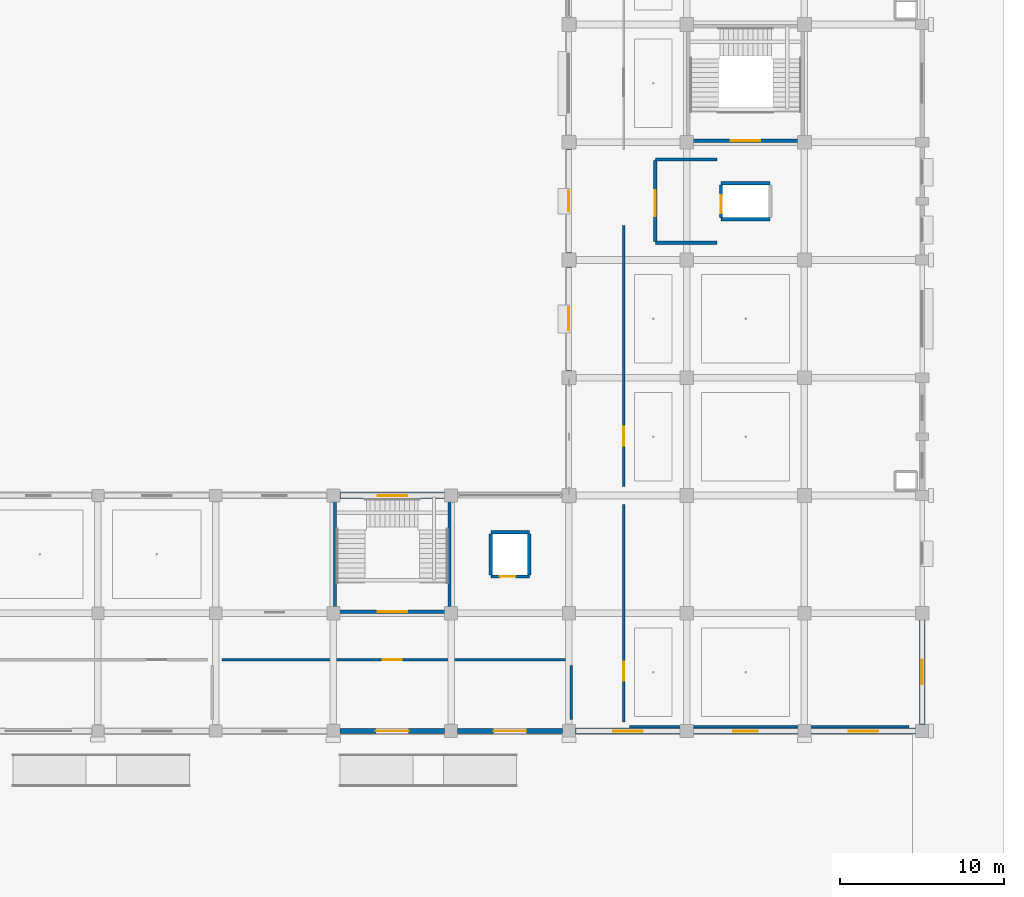
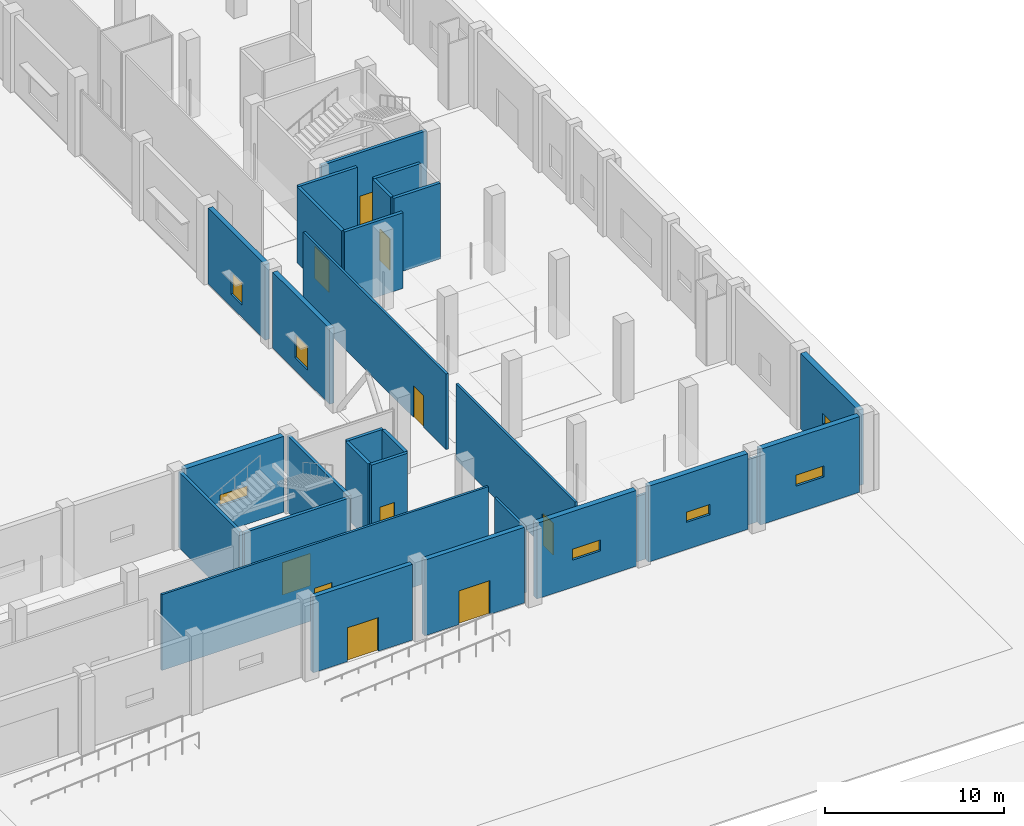
# One storey, part 64 of 90: 28 walls, 10 doors, 7 windows, 17 openings.
"""IFC4 building model written with IfcOpenShell, lengths in metres."""

from ifc_helpers import new_model, si_unit, direction, frame, frame_2d, origin, place, context, subcontext, project, spatial, rectangle, extrude, material, layer, layer_set, type_object, element, fill, save


model = new_model("IFC4")

# Units and contexts
model_context = context("Model", 3, precision=1e-05, world=origin(), true_north=direction((0.0, 1.0)))
body_context = subcontext(model_context, "Body", "Model", "MODEL_VIEW")
ifc_project = project(units=[si_unit("LENGTHUNIT", "METRE"), si_unit("AREAUNIT", "SQUARE_METRE"), si_unit("VOLUMEUNIT", "CUBIC_METRE"), si_unit("PLANEANGLEUNIT", "RADIAN"), si_unit("MASSUNIT", "GRAM", prefix="KILO")], contexts=[model_context])

# Site, building, storey
site_placement = place(None, origin())
site = spatial("IfcSite", under=ifc_project, at=site_placement, CompositionType="ELEMENT")
building_placement = place(site_placement, origin())
building = spatial("IfcBuilding", under=site, at=building_placement, Name="Kangsadwip Square Police Headquarters", CompositionType="ELEMENT")
storey_placement = place(building_placement, origin())
storey = spatial("IfcBuildingStorey", under=building, at=storey_placement, Name="L00", CompositionType="ELEMENT", Elevation=0.0)

# Wall, opening, door
ifc_material_1 = material(Name="Autoclaved aerated concrete blockwork masonry", Category="masonry")
ifc_layer_1 = layer(ifc_material_1, 0.14990234375)
ifc_layer_set_1 = layer_set([ifc_layer_1], Name="Autoclaved aerated concrete blockwork masonry")
wall_type_1 = type_object("IfcWallType", Name="BlockPartition150", PredefinedType="PARTITIONING", material=ifc_layer_set_1)
wall_1_placement = place(storey_placement, frame((147.35009765625, 36.550048828125, 0.0), z_axis=(0.0, 0.0, 1.0), x_axis=(0.0, 1.0, 0.0)))
wall_1 = element("IfcWall", 1, at=wall_1_placement, inside=storey, type_object=wall_type_1, Name="Interior Wall WI-L00-0696", PredefinedType="PARTITIONING", context=body_context, shape_type="SweptSolid", body=[
    extrude(rectangle(XDim=15.949951171875, YDim=0.14990234375, at=frame_2d((7.97509765625, 0.0))), origin(), (0.0, 0.0, 1.0), 5.159912109375),
])
opening_1_placement = place(wall_1_placement, frame((2.508056640625, 0.0, 0.0)))
opening_1 = element("IfcOpeningElement", 2, at=opening_1_placement, cuts=wall_1, Name="Opening FD-11", PredefinedType="OPENING", context=body_context, shape_type="SweptSolid", body=[
    extrude(rectangle(XDim=1.14990234375, YDim=2.14990234375, at=frame_2d((0.574951171875, 1.074951171875))), frame((0.0, 0.0849609375, 0.0), z_axis=(0.0, -1.0, 0.0), x_axis=(1.0, 0.0, 0.0)), (0.0, 0.0, 1.0), 0.169921875),
])
ifc_material_2 = material(Name="Insulated galvanized steel fire-rated door assembly", Category="steel")
door_type_1 = type_object("IfcDoorType", Name="CustodyCellDoor1150x2150", OperationType="NOTDEFINED", PredefinedType="DOOR", material=ifc_material_2)
door_1_placement = place(opening_1_placement, origin())
door_1 = element("IfcDoor", 3, at=door_1_placement, inside=storey, type_object=door_type_1, Name="Interior Door ID-L00-0145", OperationType="SINGLE_SWING_LEFT", OverallHeight=2.14990234375, OverallWidth=1.14990234375, PredefinedType="DOOR", context=body_context, shape_type="SweptSolid", body=[
    extrude(rectangle(XDim=1.14990234375, YDim=2.14990234375, at=frame_2d((0.574951171875, 1.074951171875))), frame((0.0, 0.02490234375, 0.0), z_axis=(0.0, -1.0, 0.0), x_axis=(1.0, 0.0, 0.0)), (0.0, 0.0, 1.0), 0.050048828125),
])
fill(opening_1, door_1)

# Wall
wall_2_placement = place(storey_placement, frame((144.14990234375, 22.300048828125, 0.0), z_axis=(0.0, 0.0, 1.0), x_axis=(0.0, 1.0, 0.0)))
element("IfcWall", 4, at=wall_2_placement, inside=storey, type_object=wall_type_1, Name="Interior Wall WI-L00-0704", PredefinedType="PARTITIONING", context=body_context, shape_type="SweptSolid", body=[
    extrude(rectangle(XDim=3.300048828125, YDim=0.14990234375, at=frame_2d((1.64990234375, 0.0))), origin(), (0.0, 0.0, 1.0), 4.5),
])

# Wall, opening, door
wall_3_placement = place(storey_placement, frame((122.800048828125, 25.949951171875, 0.0), z_axis=(0.0, 0.0, 1.0), x_axis=(1.0, 0.0, 0.0)))
wall_3 = element("IfcWall", 5, at=wall_3_placement, inside=storey, type_object=wall_type_1, Name="Interior Wall WI-L00-0705", PredefinedType="PARTITIONING", context=body_context, shape_type="SweptSolid", body=[
    extrude(rectangle(XDim=21.050048828125, YDim=0.14990234375, at=frame_2d((10.52490234375, 0.0))), origin(), (0.0, 0.0, 1.0), 5.159912109375),
])
opening_2_placement = place(wall_3_placement, frame((9.823974609375, 0.0, 0.0)))
opening_2 = element("IfcOpeningElement", 6, at=opening_2_placement, cuts=wall_3, Name="Opening FD-11", PredefinedType="OPENING", context=body_context, shape_type="SweptSolid", body=[
    extrude(rectangle(XDim=1.14990234375, YDim=2.14990234375, at=frame_2d((0.574951171875, 1.074951171875))), frame((0.0, 0.0849609375, 0.0), z_axis=(0.0, -1.0, 0.0), x_axis=(1.0, 0.0, 0.0)), (0.0, 0.0, 1.0), 0.169921875),
])
door_2_placement = place(opening_2_placement, origin())
door_2 = element("IfcDoor", 7, at=door_2_placement, inside=storey, type_object=door_type_1, Name="Interior Door ID-L00-0151", OperationType="SINGLE_SWING_LEFT", OverallHeight=2.14990234375, OverallWidth=1.14990234375, PredefinedType="DOOR", context=body_context, shape_type="SweptSolid", body=[
    extrude(rectangle(XDim=1.14990234375, YDim=2.14990234375, at=frame_2d((0.574951171875, 1.074951171875))), frame((0.0, 0.02490234375, 0.0), z_axis=(0.0, -1.0, 0.0), x_axis=(1.0, 0.0, 0.0)), (0.0, 0.0, 1.0), 0.050048828125),
])
fill(opening_2, door_2)

# Wall
wall_4_placement = place(storey_placement, frame((147.699951171875, 21.85009765625, 0.0), z_axis=(0.0, 0.0, 1.0), x_axis=(1.0, 0.0, 0.0)))
element("IfcWall", 8, at=wall_4_placement, inside=storey, type_object=wall_type_1, Name="Interior Wall WI-L00-0707", PredefinedType="PARTITIONING", context=body_context, shape_type="SweptSolid", body=[
    extrude(rectangle(XDim=17.10009765625, YDim=0.14990234375, at=frame_2d((8.550048828125, 0.0))), origin(), (0.0, 0.0, 1.0), 4.449951171875),
])

# Wall, opening, door
wall_5_placement = place(storey_placement, frame((147.35009765625, 22.14990234375, 0.0), z_axis=(0.0, 0.0, 1.0), x_axis=(0.0, 1.0, 0.0)))
wall_5 = element("IfcWall", 9, at=wall_5_placement, inside=storey, type_object=wall_type_1, Name="Interior Wall WI-L00-0708", PredefinedType="PARTITIONING", context=body_context, shape_type="SweptSolid", body=[
    extrude(rectangle(XDim=13.300048828125, YDim=0.14990234375, at=frame_2d((6.64990234375, 0.0))), origin(), (0.0, 0.0, 1.0), 5.159912109375),
])
opening_3_placement = place(wall_5_placement, frame((2.529052734375, 0.0, 0.0)))
opening_3 = element("IfcOpeningElement", 10, at=opening_3_placement, cuts=wall_5, Name="Opening FD-11", PredefinedType="OPENING", context=body_context, shape_type="SweptSolid", body=[
    extrude(rectangle(XDim=1.14990234375, YDim=2.14990234375, at=frame_2d((0.574951171875, 1.074951171875))), frame((0.0, 0.0849609375, 0.0), z_axis=(0.0, -1.0, 0.0), x_axis=(1.0, 0.0, 0.0)), (0.0, 0.0, 1.0), 0.169921875),
])
door_3_placement = place(opening_3_placement, origin())
door_3 = element("IfcDoor", 11, at=door_3_placement, inside=storey, type_object=door_type_1, Name="Interior Door ID-L00-0153", OperationType="SINGLE_SWING_LEFT", OverallHeight=2.14990234375, OverallWidth=1.14990234375, PredefinedType="DOOR", context=body_context, shape_type="SweptSolid", body=[
    extrude(rectangle(XDim=1.14990234375, YDim=2.14990234375, at=frame_2d((0.574951171875, 1.074951171875))), frame((0.0, 0.02490234375, 0.0), z_axis=(0.0, -1.0, 0.0), x_axis=(1.0, 0.0, 0.0)), (0.0, 0.0, 1.0), 0.050048828125),
])
fill(opening_3, door_3)

ifc_material_3 = material(Name="Concrete M40 (40 MPa)", Category="concrete")
ifc_layer_2 = layer(ifc_material_3, 0.199951171875)
ifc_layer_set_2 = layer_set([ifc_layer_2], Name="Concrete M40 (40 MPa)")
wall_type_2 = type_object("IfcWallType", Name="CoreShearWall200", PredefinedType="SHEAR", material=ifc_layer_set_2)
wall_6_placement = place(storey_placement, frame((151.39990234375, 57.699951171875, 0.0), z_axis=(0.0, 0.0, 1.0), x_axis=(1.0, 0.0, 0.0)))
wall_6 = element("IfcWall", 12, at=wall_6_placement, inside=storey, type_object=wall_type_2, Name="Interior Wall WI-L00-0093", PredefinedType="SHEAR", context=body_context, shape_type="SweptSolid", body=[
    extrude(rectangle(XDim=6.800048828125, YDim=0.199951171875, at=frame_2d((3.39990234375, 0.0))), origin(), (0.0, 0.0, 1.0), 5.159912109375),
])
opening_4_placement = place(wall_6_placement, frame((2.5, 0.0, 0.0)))
opening_4 = element("IfcOpeningElement", 13, at=opening_4_placement, cuts=wall_6, Name="Opening FD-18", PredefinedType="OPENING", context=body_context, shape_type="SweptSolid", body=[
    extrude(rectangle(XDim=1.800048828125, YDim=2.199951171875, at=frame_2d((0.89990234375, 1.10009765625))), frame((0.0, 0.10986328125, 0.0), z_axis=(0.0, -1.0, 0.0), x_axis=(1.0, 0.0, 0.0)), (0.0, 0.0, 1.0), 0.219970703125),
])
ifc_material_4 = material(Name="Insulated galvanized steel fire-rated door assembly", Category="steel")
door_type_2 = type_object("IfcDoorType", Name="StairFireDoor1800x2200", OperationType="DOUBLE_DOOR_SINGLE_SWING", PredefinedType="DOOR", material=ifc_material_4)
door_4_placement = place(opening_4_placement, origin())
door_4 = element("IfcDoor", 14, at=door_4_placement, inside=storey, type_object=door_type_2, Name="Interior Door ID-L00-0020", OperationType="DOUBLE_DOOR_SINGLE_SWING", OverallHeight=2.199951171875, OverallWidth=1.800048828125, PredefinedType="DOOR", context=body_context, shape_type="SweptSolid", body=[
    extrude(rectangle(XDim=1.800048828125, YDim=2.199951171875, at=frame_2d((0.89990234375, 1.10009765625))), frame((0.0, 0.02490234375, 0.0), z_axis=(0.0, -1.0, 0.0), x_axis=(1.0, 0.0, 0.0)), (0.0, 0.0, 1.0), 0.050048828125),
])
fill(opening_4, door_4)

wall_7_placement = place(storey_placement, frame((129.800048828125, 28.89990234375, 0.0), z_axis=(0.0, 0.0, 1.0), x_axis=(1.0, 0.0, 0.0)))
wall_7 = element("IfcWall", 15, at=wall_7_placement, inside=storey, type_object=wall_type_2, Name="Interior Wall WI-L00-0180", PredefinedType="SHEAR", context=body_context, shape_type="SweptSolid", body=[
    extrude(rectangle(XDim=6.800048828125, YDim=0.199951171875, at=frame_2d((3.39990234375, 0.0))), origin(), (0.0, 0.0, 1.0), 5.159912109375),
])
opening_5_placement = place(wall_7_placement, frame((2.5, 0.0, 0.0)))
opening_5 = element("IfcOpeningElement", 16, at=opening_5_placement, cuts=wall_7, Name="Opening FD-18", PredefinedType="OPENING", context=body_context, shape_type="SweptSolid", body=[
    extrude(rectangle(XDim=1.800048828125, YDim=2.199951171875, at=frame_2d((0.89990234375, 1.10009765625))), frame((0.0, 0.10986328125, 0.0), z_axis=(0.0, -1.0, 0.0), x_axis=(1.0, 0.0, 0.0)), (0.0, 0.0, 1.0), 0.219970703125),
])
door_5_placement = place(opening_5_placement, origin())
door_5 = element("IfcDoor", 17, at=door_5_placement, inside=storey, type_object=door_type_2, Name="Interior Door ID-L00-0040", OperationType="DOUBLE_DOOR_SINGLE_SWING", OverallHeight=2.199951171875, OverallWidth=1.800048828125, PredefinedType="DOOR", context=body_context, shape_type="SweptSolid", body=[
    extrude(rectangle(XDim=1.800048828125, YDim=2.199951171875, at=frame_2d((0.89990234375, 1.10009765625))), frame((0.0, 0.02490234375, 0.0), z_axis=(0.0, -1.0, 0.0), x_axis=(1.0, 0.0, 0.0)), (0.0, 0.0, 1.0), 0.050048828125),
])
fill(opening_5, door_5)

# Walls
for number, where, z_axis, x_axis, name in (
    (18, (129.699951171875, 29.0, 0.0), (0.0, 0.0, 1.0), (0.0, 1.0, 0.0), "Interior Wall WI-L00-0181"),
    (19, (136.699951171875, 29.0, 0.0), (0.0, 0.0, 1.0), (0.0, 1.0, 0.0), "Interior Wall WI-L00-0182"),
):
    element("IfcWall", number, at=place(storey_placement, frame(where, z_axis=z_axis, x_axis=x_axis)), inside=storey, type_object=wall_type_2, Name=name, PredefinedType="SHEAR", context=body_context, shape_type="SweptSolid", body=[
        extrude(rectangle(XDim=6.800048828125, YDim=0.199951171875, at=frame_2d((3.39990234375, 0.0))), origin(), (0.0, 0.0, 1.0), 5.159912109375),
    ])
for number, where, z_axis, x_axis, name in (
    (20, (153.300048828125, 52.89990234375, 0.0), (0.0, 0.0, 1.0), (1.0, 0.0, 0.0), "Interior Wall WI-L00-0315"),
    (21, (153.300048828125, 55.10009765625, 0.0), (0.0, 0.0, 1.0), (1.0, 0.0, 0.0), "Interior Wall WI-L00-0316"),
):
    element("IfcWall", number, at=place(storey_placement, frame(where, z_axis=z_axis, x_axis=x_axis)), inside=storey, type_object=wall_type_2, Name=name, PredefinedType="SHEAR", context=body_context, shape_type="SweptSolid", body=[
        extrude(rectangle(XDim=3.0, YDim=0.199951171875, at=frame_2d((1.5, 0.0))), origin(), (0.0, 0.0, 1.0), 5.159912109375),
    ])

# Wall, opening, door
wall_8_placement = place(storey_placement, frame((153.300048828125, 53.0, 0.0), z_axis=(0.0, 0.0, 1.0), x_axis=(0.0, 1.0, 0.0)))
wall_8 = element("IfcWall", 22, at=wall_8_placement, inside=storey, type_object=wall_type_2, Name="Interior Wall WI-L00-0317", PredefinedType="SHEAR", context=body_context, shape_type="SweptSolid", body=[
    extrude(rectangle(XDim=2.0, YDim=0.199951171875, at=frame_2d((1.0, 0.0))), origin(), (0.0, 0.0, 1.0), 5.159912109375),
])
opening_6_placement = place(wall_8_placement, frame((0.25, 0.0, 0.0)))
opening_6 = element("IfcOpeningElement", 23, at=opening_6_placement, cuts=wall_8, Name="Opening LD-020", PredefinedType="OPENING", context=body_context, shape_type="SweptSolid", body=[
    extrude(rectangle(XDim=1.10009765625, YDim=2.14990234375, at=frame_2d((0.550048828125, 1.074951171875))), frame((0.0, 0.10986328125, 0.0), z_axis=(0.0, -1.0, 0.0), x_axis=(1.0, 0.0, 0.0)), (0.0, 0.0, 1.0), 0.219970703125),
])
ifc_material_5 = material(Name="Brushed stainless steel automatic sliding lift landing door", Category="steel")
door_type_3 = type_object("IfcDoorType", Name="LiftLandingDoor1100x2150", OperationType="DOUBLE_DOOR_SLIDING", PredefinedType="DOOR", material=ifc_material_5)
door_6_placement = place(opening_6_placement, origin())
door_6 = element("IfcDoor", 24, at=door_6_placement, inside=storey, type_object=door_type_3, Name="Interior Door LD-020", OperationType="DOUBLE_DOOR_SLIDING", OverallHeight=2.14990234375, OverallWidth=1.10009765625, PredefinedType="DOOR", context=body_context, shape_type="SweptSolid", body=[
    extrude(rectangle(XDim=1.10009765625, YDim=2.14990234375, at=frame_2d((0.550048828125, 1.074951171875))), frame((0.0, 0.02490234375, 0.0), z_axis=(0.0, -1.0, 0.0), x_axis=(1.0, 0.0, 0.0)), (0.0, 0.0, 1.0), 0.050048828125),
])
fill(opening_6, door_6)

wall_9_placement = place(storey_placement, frame((139.22509765625, 31.050048828125, 0.0), z_axis=(0.0, 0.0, 1.0), x_axis=(1.0, 0.0, 0.0)))
wall_9 = element("IfcWall", 25, at=wall_9_placement, inside=storey, type_object=wall_type_2, Name="Interior Wall WI-L00-0487", PredefinedType="SHEAR", context=body_context, shape_type="SweptSolid", body=[
    extrude(rectangle(XDim=2.349853515625, YDim=0.199951171875, at=frame_2d((1.1748046875, 0.0))), origin(), (0.0, 0.0, 1.0), 5.159912109375),
])
opening_7_placement = place(wall_9_placement, frame((0.550048828125, 0.0, 0.0)))
opening_7 = element("IfcOpeningElement", 26, at=opening_7_placement, cuts=wall_9, Name="Opening LD-058", PredefinedType="OPENING", context=body_context, shape_type="SweptSolid", body=[
    extrude(rectangle(XDim=0.949951171875, YDim=2.10009765625, at=frame_2d((0.47509765625, 1.050048828125))), frame((0.0, 0.10986328125, 0.0), z_axis=(0.0, -1.0, 0.0), x_axis=(1.0, 0.0, 0.0)), (0.0, 0.0, 1.0), 0.219970703125),
])
ifc_material_6 = material(Name="Brushed stainless steel automatic sliding lift landing door", Category="steel")
door_type_4 = type_object("IfcDoorType", Name="LiftLandingDoor950x2100", OperationType="DOUBLE_DOOR_SLIDING", PredefinedType="DOOR", material=ifc_material_6)
door_7_placement = place(opening_7_placement, origin())
door_7 = element("IfcDoor", 27, at=door_7_placement, inside=storey, type_object=door_type_4, Name="Interior Door LD-058", OperationType="DOUBLE_DOOR_SLIDING", OverallHeight=2.10009765625, OverallWidth=0.949951171875, PredefinedType="DOOR", context=body_context, shape_type="SweptSolid", body=[
    extrude(rectangle(XDim=0.949951171875, YDim=2.10009765625, at=frame_2d((0.47509765625, 1.050048828125))), frame((0.0, 0.02490234375, 0.0), z_axis=(0.0, -1.0, 0.0), x_axis=(1.0, 0.0, 0.0)), (0.0, 0.0, 1.0), 0.050048828125),
])
fill(opening_7, door_7)

# Walls
wall_10_placement = place(storey_placement, frame((139.22509765625, 33.75, 0.0), z_axis=(0.0, 0.0, 1.0), x_axis=(1.0, 0.0, 0.0)))
element("IfcWall", 28, at=wall_10_placement, inside=storey, type_object=wall_type_2, Name="Interior Wall WI-L00-0488", PredefinedType="SHEAR", context=body_context, shape_type="SweptSolid", body=[
    extrude(rectangle(XDim=2.349853515625, YDim=0.199951171875, at=frame_2d((1.1748046875, 0.0))), origin(), (0.0, 0.0, 1.0), 5.159912109375),
])
for number, where, z_axis, x_axis, name in (
    (29, (139.22509765625, 31.14990234375, 0.0), (0.0, 0.0, 1.0), (0.0, 1.0, 0.0), "Interior Wall WI-L00-0489"),
    (30, (141.574951171875, 31.14990234375, 0.0), (0.0, 0.0, 1.0), (0.0, 1.0, 0.0), "Interior Wall WI-L00-0490"),
):
    element("IfcWall", number, at=place(storey_placement, frame(where, z_axis=z_axis, x_axis=x_axis)), inside=storey, type_object=wall_type_2, Name=name, PredefinedType="SHEAR", context=body_context, shape_type="SweptSolid", body=[
        extrude(rectangle(XDim=2.5, YDim=0.199951171875, at=frame_2d((1.25, 0.0))), origin(), (0.0, 0.0, 1.0), 5.159912109375),
    ])

# Wall, opening, window
ifc_material_7 = material(Name="Concrete M40 (40 MPa)", Category="concrete")
ifc_layer_3 = layer(ifc_material_7, 0.35009765625)
ifc_layer_set_3 = layer_set([ifc_layer_3], Name="Concrete M40 (40 MPa)")
wall_type_3 = type_object("IfcWallType", Name="CustodyPerimeterWall350", PredefinedType="SOLIDWALL", material=ifc_layer_set_3)
wall_11_placement = place(storey_placement, frame((144.39501953125, 21.60009765625, 0.0), z_axis=(0.0, 0.0, 1.0), x_axis=(1.0, 0.0, 0.0)))
wall_11 = element("IfcWall", 31, at=wall_11_placement, inside=storey, type_object=wall_type_3, Name="Exterior Wall WE-L00-140", PredefinedType="SOLIDWALL", context=body_context, shape_type="SweptSolid", body=[
    extrude(rectangle(XDim=6.409912109375, YDim=0.35009765625, at=frame_2d((3.205078125, 0.0))), origin(), (0.0, 0.0, 1.0), 5.159912109375),
])
opening_8_placement = place(wall_11_placement, frame((2.304931640625, 0.0, 1.85009765625)))
opening_8 = element("IfcOpeningElement", 32, at=opening_8_placement, cuts=wall_11, Name="Opening WN-16", PredefinedType="OPENING", context=body_context, shape_type="SweptSolid", body=[
    extrude(rectangle(XDim=1.800048828125, YDim=0.75, at=frame_2d((0.89990234375, 0.375))), frame((0.0, 0.18505859375, 0.0), z_axis=(0.0, -1.0, 0.0), x_axis=(1.0, 0.0, 0.0)), (0.0, 0.0, 1.0), 0.3701171875),
])
ifc_material_8 = material(Name="Double-glazed solar-control low-E safety glass", Category="glass")
window_type_1 = type_object("IfcWindowType", Name="CustodyClerestoryWin1800x750", PartitioningType="DOUBLE_PANEL_HORIZONTAL", PredefinedType="WINDOW", material=ifc_material_8)
window_1_placement = place(opening_8_placement, origin())
window_1 = element("IfcWindow", 33, at=window_1_placement, inside=storey, type_object=window_type_1, Name="Window WN-L00-0008", OverallHeight=0.75, OverallWidth=1.800048828125, PartitioningType="SINGLE_PANEL", PredefinedType="WINDOW", context=body_context, shape_type="SweptSolid", body=[
    extrude(rectangle(XDim=1.800048828125, YDim=0.75, at=frame_2d((0.89990234375, 0.375))), frame((0.0, 0.030029296875, 0.0), z_axis=(0.0, -1.0, 0.0), x_axis=(1.0, 0.0, 0.0)), (0.0, 0.0, 1.0), 0.06005859375),
])
fill(opening_8, window_1)

wall_12_placement = place(storey_placement, frame((151.594970703125, 21.60009765625, 0.0), z_axis=(0.0, 0.0, 1.0), x_axis=(1.0, 0.0, 0.0)))
wall_12 = element("IfcWall", 34, at=wall_12_placement, inside=storey, type_object=wall_type_3, Name="Exterior Wall WE-L00-141", PredefinedType="SOLIDWALL", context=body_context, shape_type="SweptSolid", body=[
    extrude(rectangle(XDim=6.409912109375, YDim=0.35009765625, at=frame_2d((3.205078125, 0.0))), origin(), (0.0, 0.0, 1.0), 5.159912109375),
])
opening_9_placement = place(wall_12_placement, frame((2.455078125, 0.0, 1.85009765625)))
opening_9 = element("IfcOpeningElement", 35, at=opening_9_placement, cuts=wall_12, Name="Opening WN-17", PredefinedType="OPENING", context=body_context, shape_type="SweptSolid", body=[
    extrude(rectangle(XDim=1.5, YDim=0.699951171875, at=frame_2d((0.75, 0.35009765625))), frame((0.0, 0.18505859375, 0.0), z_axis=(0.0, -1.0, 0.0), x_axis=(1.0, 0.0, 0.0)), (0.0, 0.0, 1.0), 0.3701171875),
])
ifc_material_9 = material(Name="Double-glazed solar-control low-E safety glass", Category="glass")
window_type_2 = type_object("IfcWindowType", Name="CustodyClerestoryWin1500x700", PartitioningType="SINGLE_PANEL", PredefinedType="WINDOW", material=ifc_material_9)
window_2_placement = place(opening_9_placement, origin())
window_2 = element("IfcWindow", 36, at=window_2_placement, inside=storey, type_object=window_type_2, Name="Window WN-L00-0009", OverallHeight=0.699951171875, OverallWidth=1.5, PartitioningType="SINGLE_PANEL", PredefinedType="WINDOW", context=body_context, shape_type="SweptSolid", body=[
    extrude(rectangle(XDim=1.5, YDim=0.699951171875, at=frame_2d((0.75, 0.35009765625))), frame((0.0, 0.030029296875, 0.0), z_axis=(0.0, -1.0, 0.0), x_axis=(1.0, 0.0, 0.0)), (0.0, 0.0, 1.0), 0.06005859375),
])
fill(opening_9, window_2)

wall_13_placement = place(storey_placement, frame((158.794921875, 21.60009765625, 0.0), z_axis=(0.0, 0.0, 1.0), x_axis=(1.0, 0.0, 0.0)))
wall_13 = element("IfcWall", 37, at=wall_13_placement, inside=storey, type_object=wall_type_3, Name="Exterior Wall WE-L00-142", PredefinedType="SOLIDWALL", context=body_context, shape_type="SweptSolid", body=[
    extrude(rectangle(XDim=6.41015625, YDim=0.35009765625, at=frame_2d((3.205078125, 0.0))), origin(), (0.0, 0.0, 1.0), 5.159912109375),
])
opening_10_placement = place(wall_13_placement, frame((2.304931640625, 0.0, 1.85009765625)))
opening_10 = element("IfcOpeningElement", 38, at=opening_10_placement, cuts=wall_13, Name="Opening WN-16", PredefinedType="OPENING", context=body_context, shape_type="SweptSolid", body=[
    extrude(rectangle(XDim=1.800048828125, YDim=0.75, at=frame_2d((0.89990234375, 0.375))), frame((0.0, 0.18505859375, 0.0), z_axis=(0.0, -1.0, 0.0), x_axis=(1.0, 0.0, 0.0)), (0.0, 0.0, 1.0), 0.3701171875),
])
window_3_placement = place(opening_10_placement, origin())
window_3 = element("IfcWindow", 39, at=window_3_placement, inside=storey, type_object=window_type_1, Name="Window WN-L00-0010", OverallHeight=0.75, OverallWidth=1.800048828125, PartitioningType="SINGLE_PANEL", PredefinedType="WINDOW", context=body_context, shape_type="SweptSolid", body=[
    extrude(rectangle(XDim=1.800048828125, YDim=0.75, at=frame_2d((0.89990234375, 0.375))), frame((0.0, 0.030029296875, 0.0), z_axis=(0.0, -1.0, 0.0), x_axis=(1.0, 0.0, 0.0)), (0.0, 0.0, 1.0), 0.06005859375),
])
fill(opening_10, window_3)

wall_14_placement = place(storey_placement, frame((129.9951171875, 36.0, 0.0), z_axis=(0.0, 0.0, 1.0), x_axis=(1.0, 0.0, 0.0)))
wall_14 = element("IfcWall", 40, at=wall_14_placement, inside=storey, type_object=wall_type_3, Name="Exterior Wall WE-L00-147", PredefinedType="SOLIDWALL", context=body_context, shape_type="SweptSolid", body=[
    extrude(rectangle(XDim=6.409912109375, YDim=0.35009765625, at=frame_2d((3.205078125, 0.0))), origin(), (0.0, 0.0, 1.0), 5.159912109375),
])
opening_11_placement = place(wall_14_placement, frame((2.304931640625, 0.0, 1.85009765625)))
opening_11 = element("IfcOpeningElement", 41, at=opening_11_placement, cuts=wall_14, Name="Opening WN-16", PredefinedType="OPENING", context=body_context, shape_type="SweptSolid", body=[
    extrude(rectangle(XDim=1.800048828125, YDim=0.75, at=frame_2d((0.89990234375, 0.375))), frame((0.0, 0.18505859375, 0.0), z_axis=(0.0, -1.0, 0.0), x_axis=(1.0, 0.0, 0.0)), (0.0, 0.0, 1.0), 0.3701171875),
])
window_4_placement = place(opening_11_placement, origin())
window_4 = element("IfcWindow", 42, at=window_4_placement, inside=storey, type_object=window_type_1, Name="Window WN-L00-0015", OverallHeight=0.75, OverallWidth=1.800048828125, PartitioningType="SINGLE_PANEL", PredefinedType="WINDOW", context=body_context, shape_type="SweptSolid", body=[
    extrude(rectangle(XDim=1.800048828125, YDim=0.75, at=frame_2d((0.89990234375, 0.375))), frame((0.0, 0.030029296875, 0.0), z_axis=(0.0, -1.0, 0.0), x_axis=(1.0, 0.0, 0.0)), (0.0, 0.0, 1.0), 0.06005859375),
])
fill(opening_11, window_4)

wall_15_placement = place(storey_placement, frame((165.60009765625, 21.9951171875, 0.0), z_axis=(0.0, 0.0, 1.0), x_axis=(0.0, 1.0, 0.0)))
wall_15 = element("IfcWall", 43, at=wall_15_placement, inside=storey, type_object=wall_type_3, Name="Exterior Wall WE-L00-201", PredefinedType="SOLIDWALL", context=body_context, shape_type="SweptSolid", body=[
    extrude(rectangle(XDim=6.409912109375, YDim=0.35009765625, at=frame_2d((3.205078125, 0.0))), origin(), (0.0, 0.0, 1.0), 5.159912109375),
])
opening_12_placement = place(wall_15_placement, frame((2.455078125, 0.0, 1.85009765625)))
opening_12 = element("IfcOpeningElement", 44, at=opening_12_placement, cuts=wall_15, Name="Opening WN-17", PredefinedType="OPENING", context=body_context, shape_type="SweptSolid", body=[
    extrude(rectangle(XDim=1.5, YDim=0.699951171875, at=frame_2d((0.75, 0.35009765625))), frame((0.0, 0.18505859375, 0.0), z_axis=(0.0, -1.0, 0.0), x_axis=(1.0, 0.0, 0.0)), (0.0, 0.0, 1.0), 0.3701171875),
])
window_5_placement = place(opening_12_placement, origin())
window_5 = element("IfcWindow", 45, at=window_5_placement, inside=storey, type_object=window_type_2, Name="Window WN-L00-0056", OverallHeight=0.699951171875, OverallWidth=1.5, PartitioningType="SINGLE_PANEL", PredefinedType="WINDOW", context=body_context, shape_type="SweptSolid", body=[
    extrude(rectangle(XDim=1.5, YDim=0.699951171875, at=frame_2d((0.75, 0.35009765625))), frame((0.0, 0.030029296875, 0.0), z_axis=(0.0, -1.0, 0.0), x_axis=(1.0, 0.0, 0.0)), (0.0, 0.0, 1.0), 0.06005859375),
])
fill(opening_12, window_5)

# Wall, opening, door
ifc_material_10 = material(Name="Concrete M40 (40 MPa)", Category="concrete")
ifc_layer_4 = layer(ifc_material_10, 0.199951171875)
ifc_layer_set_4 = layer_set([ifc_layer_4], Name="Concrete M40 (40 MPa)")
wall_type_4 = type_object("IfcWallType", Name="CustodySecurityWall200", PredefinedType="SOLIDWALL", material=ifc_layer_set_4)
wall_16_placement = place(storey_placement, frame((149.280029296875, 51.530029296875, 0.0), z_axis=(0.0, 0.0, 1.0), x_axis=(0.0, 1.0, 0.0)))
wall_16 = element("IfcWall", 46, at=wall_16_placement, inside=storey, type_object=wall_type_4, Name="Interior Wall WI-L00-0666", PredefinedType="SOLIDWALL", context=body_context, shape_type="SweptSolid", body=[
    extrude(rectangle(XDim=4.93994140625, YDim=0.199951171875, at=frame_2d((2.469970703125, 0.0))), origin(), (0.0, 0.0, 1.0), 5.159912109375),
])
opening_13_placement = place(wall_16_placement, frame((1.541015625, 0.0, 0.0)))
opening_13 = element("IfcOpeningElement", 47, at=opening_13_placement, cuts=wall_16, Name="Opening FD-16", PredefinedType="OPENING", context=body_context, shape_type="SweptSolid", body=[
    extrude(rectangle(XDim=1.60009765625, YDim=2.199951171875, at=frame_2d((0.800048828125, 1.10009765625))), frame((0.0, 0.10986328125, 0.0), z_axis=(0.0, -1.0, 0.0), x_axis=(1.0, 0.0, 0.0)), (0.0, 0.0, 1.0), 0.219970703125),
])
ifc_material_11 = material(Name="Insulated galvanized steel fire-rated door assembly", Category="steel")
door_type_5 = type_object("IfcDoorType", Name="FfLobbyFireDoor1600x2200", OperationType="DOUBLE_DOOR_SINGLE_SWING", PredefinedType="DOOR", material=ifc_material_11)
door_8_placement = place(opening_13_placement, origin())
door_8 = element("IfcDoor", 48, at=door_8_placement, inside=storey, type_object=door_type_5, Name="Interior Door ID-L00-0128", OperationType="DOUBLE_DOOR_SINGLE_SWING", OverallHeight=2.199951171875, OverallWidth=1.60009765625, PredefinedType="DOOR", context=body_context, shape_type="SweptSolid", body=[
    extrude(rectangle(XDim=1.60009765625, YDim=2.199951171875, at=frame_2d((0.800048828125, 1.10009765625))), frame((0.0, 0.02490234375, 0.0), z_axis=(0.0, -1.0, 0.0), x_axis=(1.0, 0.0, 0.0)), (0.0, 0.0, 1.0), 0.050048828125),
])
fill(opening_13, door_8)

# Walls
for number, where, z_axis, x_axis, name in (
    (49, (149.280029296875, 51.449951171875, 0.0), (0.0, 0.0, 1.0), (1.0, 0.0, 0.0), "Interior Wall WI-L00-0667"),
    (50, (149.280029296875, 56.550048828125, 0.0), (0.0, 0.0, 1.0), (1.0, 0.0, 0.0), "Interior Wall WI-L00-0668"),
):
    element("IfcWall", number, at=place(storey_placement, frame(where, z_axis=z_axis, x_axis=x_axis)), inside=storey, type_object=wall_type_4, Name=name, PredefinedType="SOLIDWALL", context=body_context, shape_type="SweptSolid", body=[
        extrude(rectangle(XDim=3.780029296875, YDim=0.199951171875, at=frame_2d((1.89013671875, 0.0))), origin(), (0.0, 0.0, 1.0), 5.159912109375),
    ])

# Wall, opening, door
ifc_material_12 = material(Name="Glazed architectural terracotta masonry rainscreen", Category="masonry")
ifc_layer_5 = layer(ifc_material_12, 0.300048828125)
ifc_layer_set_5 = layer_set([ifc_layer_5], Name="Glazed architectural terracotta masonry rainscreen")
wall_type_5 = type_object("IfcWallType", Name="PlinthArcadeWall300", PredefinedType="SOLIDWALL", material=ifc_layer_set_5)
wall_17_placement = place(storey_placement, frame((136.405029296875, 21.60009765625, 0.0), z_axis=(0.0, 0.0, 1.0), x_axis=(-1.0, 0.0, 0.0)))
wall_17 = element("IfcWall", 51, at=wall_17_placement, inside=storey, type_object=wall_type_5, Name="Exterior Wall WE-L00-138", PredefinedType="SOLIDWALL", context=body_context, shape_type="SweptSolid", body=[
    extrude(rectangle(XDim=6.409912109375, YDim=0.300048828125, at=frame_2d((3.205078125, 0.0))), origin(), (0.0, 0.0, 1.0), 5.159912109375),
])
opening_14_placement = place(wall_17_placement, frame((2.205078125, 0.0, 0.0)))
opening_14 = element("IfcOpeningElement", 52, at=opening_14_placement, cuts=wall_17, Name="Opening ED-06", PredefinedType="OPENING", context=body_context, shape_type="SweptSolid", body=[
    extrude(rectangle(XDim=2.0, YDim=2.300048828125, at=frame_2d((1.0, 1.14990234375))), frame((0.0, 0.159912109375, 0.0), z_axis=(0.0, -1.0, 0.0), x_axis=(1.0, 0.0, 0.0)), (0.0, 0.0, 1.0), 0.320068359375),
])
ifc_material_13 = material(Name="Galvanized hollow-metal architectural steel door assembly", Category="steel")
door_type_6 = type_object("IfcDoorType", Name="FinalExitDoubleDoor2000x2300", OperationType="DOUBLE_DOOR_SINGLE_SWING", PredefinedType="DOOR", material=ifc_material_13)
door_9_placement = place(opening_14_placement, origin())
door_9 = element("IfcDoor", 53, at=door_9_placement, inside=storey, type_object=door_type_6, Name="Exterior Door ED-06", OperationType="DOUBLE_DOOR_SINGLE_SWING", OverallHeight=2.300048828125, OverallWidth=2.0, PredefinedType="DOOR", context=body_context, shape_type="SweptSolid", body=[
    extrude(rectangle(XDim=2.0, YDim=2.300048828125, at=frame_2d((1.0, 1.14990234375))), frame((0.0, 0.02490234375, 0.0), z_axis=(0.0, -1.0, 0.0), x_axis=(1.0, 0.0, 0.0)), (0.0, 0.0, 1.0), 0.050048828125),
])
fill(opening_14, door_9)

wall_18_placement = place(storey_placement, frame((143.60498046875, 21.60009765625, 0.0), z_axis=(0.0, 0.0, 1.0), x_axis=(-1.0, 0.0, 0.0)))
wall_18 = element("IfcWall", 54, at=wall_18_placement, inside=storey, type_object=wall_type_5, Name="Exterior Wall WE-L00-139", PredefinedType="SOLIDWALL", context=body_context, shape_type="SweptSolid", body=[
    extrude(rectangle(XDim=6.409912109375, YDim=0.300048828125, at=frame_2d((3.205078125, 0.0))), origin(), (0.0, 0.0, 1.0), 5.159912109375),
])
opening_15_placement = place(wall_18_placement, frame((2.205078125, 0.0, 0.0)))
opening_15 = element("IfcOpeningElement", 55, at=opening_15_placement, cuts=wall_18, Name="Opening ED-14", PredefinedType="OPENING", context=body_context, shape_type="SweptSolid", body=[
    extrude(rectangle(XDim=2.0, YDim=2.300048828125, at=frame_2d((1.0, 1.14990234375))), frame((0.0, 0.159912109375, 0.0), z_axis=(0.0, -1.0, 0.0), x_axis=(1.0, 0.0, 0.0)), (0.0, 0.0, 1.0), 0.320068359375),
])
door_10_placement = place(opening_15_placement, origin())
door_10 = element("IfcDoor", 56, at=door_10_placement, inside=storey, type_object=door_type_6, Name="Exterior Door ED-14", OperationType="DOUBLE_DOOR_SINGLE_SWING", OverallHeight=2.300048828125, OverallWidth=2.0, PredefinedType="DOOR", context=body_context, shape_type="SweptSolid", body=[
    extrude(rectangle(XDim=2.0, YDim=2.300048828125, at=frame_2d((1.0, 1.14990234375))), frame((0.0, 0.02490234375, 0.0), z_axis=(0.0, -1.0, 0.0), x_axis=(1.0, 0.0, 0.0)), (0.0, 0.0, 1.0), 0.050048828125),
])
fill(opening_15, door_10)

# Wall, opening, window
wall_19_placement = place(storey_placement, frame((144.0, 43.6201171875, 0.0), z_axis=(0.0, 0.0, 1.0), x_axis=(0.0, 1.0, 0.0)))
wall_19 = element("IfcWall", 57, at=wall_19_placement, inside=storey, type_object=wall_type_5, Name="Exterior Wall WE-L00-195", PredefinedType="SOLIDWALL", context=body_context, shape_type="SweptSolid", body=[
    extrude(rectangle(XDim=6.35986328125, YDim=0.300048828125, at=frame_2d((3.179931640625, 0.0))), origin(), (0.0, 0.0, 1.0), 5.159912109375),
])
opening_16_placement = place(wall_19_placement, frame((2.47998046875, 0.0, 0.85009765625)))
opening_16 = element("IfcOpeningElement", 58, at=opening_16_placement, cuts=wall_19, Name="Opening WN-13", PredefinedType="OPENING", context=body_context, shape_type="SweptSolid", body=[
    extrude(rectangle(XDim=1.39990234375, YDim=1.60009765625, at=frame_2d((0.699951171875, 0.800048828125))), frame((0.0, 0.159912109375, 0.0), z_axis=(0.0, -1.0, 0.0), x_axis=(1.0, 0.0, 0.0)), (0.0, 0.0, 1.0), 0.320068359375),
])
ifc_material_14 = material(Name="Double-glazed solar-control low-E safety glass", Category="glass")
window_type_3 = type_object("IfcWindowType", Name="OfficeCasementWin1400x1600", PartitioningType="SINGLE_PANEL", PredefinedType="WINDOW", material=ifc_material_14)
window_6_placement = place(opening_16_placement, origin())
window_6 = element("IfcWindow", 59, at=window_6_placement, inside=storey, type_object=window_type_3, Name="Window WN-L00-0050", OverallHeight=1.60009765625, OverallWidth=1.39990234375, PartitioningType="SINGLE_PANEL", PredefinedType="WINDOW", context=body_context, shape_type="SweptSolid", body=[
    extrude(rectangle(XDim=1.39990234375, YDim=1.60009765625, at=frame_2d((0.699951171875, 0.800048828125))), frame((0.0, 0.030029296875, 0.0), z_axis=(0.0, -1.0, 0.0), x_axis=(1.0, 0.0, 0.0)), (0.0, 0.0, 1.0), 0.06005859375),
])
fill(opening_16, window_6)

wall_20_placement = place(storey_placement, frame((144.0, 50.820068359375, 0.0), z_axis=(0.0, 0.0, 1.0), x_axis=(0.0, 1.0, 0.0)))
wall_20 = element("IfcWall", 60, at=wall_20_placement, inside=storey, type_object=wall_type_5, Name="Exterior Wall WE-L00-196", PredefinedType="SOLIDWALL", context=body_context, shape_type="SweptSolid", body=[
    extrude(rectangle(XDim=6.35986328125, YDim=0.300048828125, at=frame_2d((3.179931640625, 0.0))), origin(), (0.0, 0.0, 1.0), 5.159912109375),
])
opening_17_placement = place(wall_20_placement, frame((2.554931640625, 0.0, 0.85009765625)))
opening_17 = element("IfcOpeningElement", 61, at=opening_17_placement, cuts=wall_20, Name="Opening WN-14", PredefinedType="OPENING", context=body_context, shape_type="SweptSolid", body=[
    extrude(rectangle(XDim=1.25, YDim=1.5, at=frame_2d((0.625, 0.75))), frame((0.0, 0.159912109375, 0.0), z_axis=(0.0, -1.0, 0.0), x_axis=(1.0, 0.0, 0.0)), (0.0, 0.0, 1.0), 0.320068359375),
])
ifc_material_15 = material(Name="Double-glazed solar-control low-E safety glass", Category="glass")
window_type_4 = type_object("IfcWindowType", Name="OfficeCasementWin1250x1500", PartitioningType="SINGLE_PANEL", PredefinedType="WINDOW", material=ifc_material_15)
window_7_placement = place(opening_17_placement, origin())
window_7 = element("IfcWindow", 62, at=window_7_placement, inside=storey, type_object=window_type_4, Name="Window WN-L00-0051", OverallHeight=1.5, OverallWidth=1.25, PartitioningType="SINGLE_PANEL", PredefinedType="WINDOW", context=body_context, shape_type="SweptSolid", body=[
    extrude(rectangle(XDim=1.25, YDim=1.5, at=frame_2d((0.625, 0.75))), frame((0.0, 0.030029296875, 0.0), z_axis=(0.0, -1.0, 0.0), x_axis=(1.0, 0.0, 0.0)), (0.0, 0.0, 1.0), 0.06005859375),
])
fill(opening_17, window_7)

save(model, "model.ifc")
